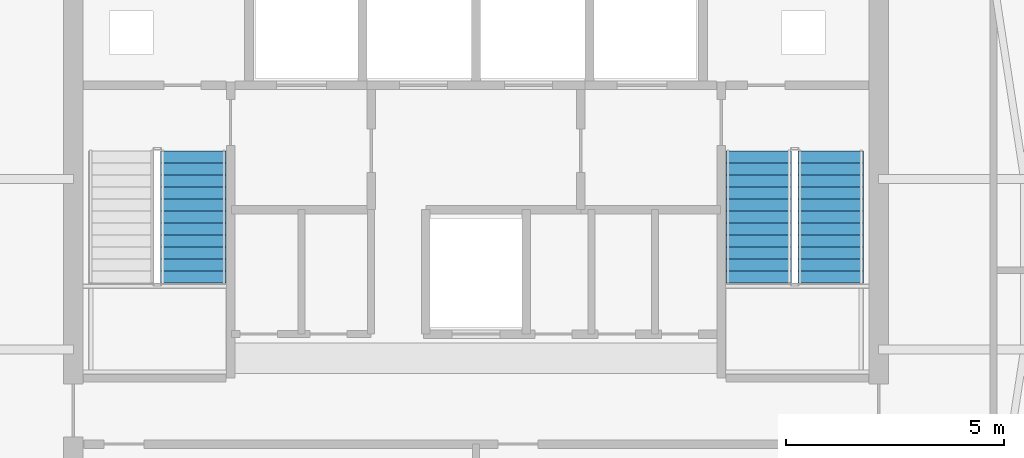
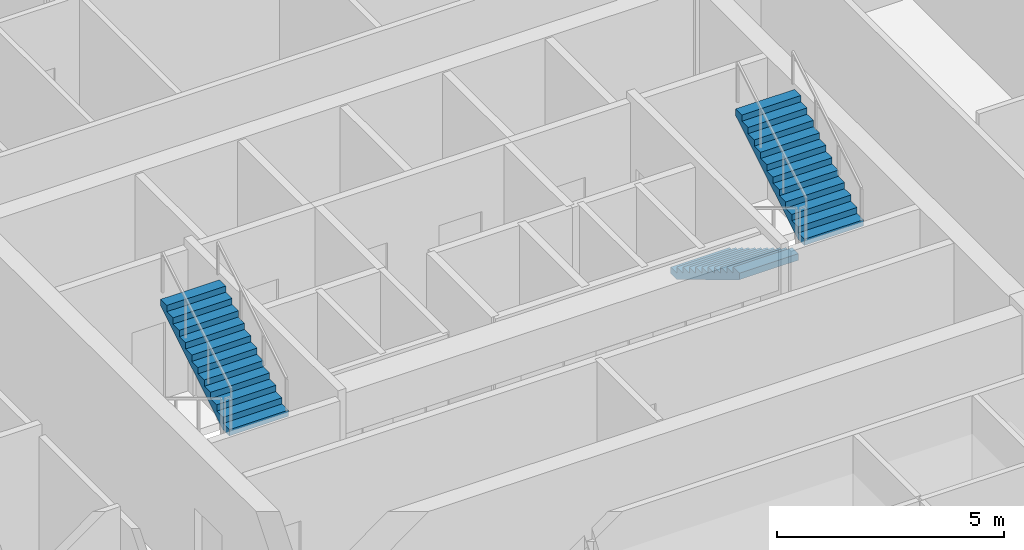
# One storey, part 8 of 11: 3 stair flights, 2 elements without a shape of their own.
"""IFC4 building model written with IfcOpenShell, lengths in metres."""

from ifc_helpers import new_model, si_unit, direction, frame, origin, place, context, subcontext, project, spatial, polyline, outline, extrude, material, type_object, element, aggregate, save


model = new_model("IFC4")

# Units and contexts
model_context = context("Model", 3, precision=1e-05, world=origin(), true_north=direction((0.0, 1.0)))
body_context = subcontext(model_context, "Body", "Model", "MODEL_VIEW")
ifc_project = project(units=[si_unit("LENGTHUNIT", "METRE"), si_unit("AREAUNIT", "SQUARE_METRE"), si_unit("VOLUMEUNIT", "CUBIC_METRE"), si_unit("PLANEANGLEUNIT", "RADIAN"), si_unit("MASSUNIT", "GRAM", prefix="KILO")], contexts=[model_context])

# Site, building, storey
site_placement = place(None, origin())
site = spatial("IfcSite", under=ifc_project, at=site_placement, CompositionType="ELEMENT")
building_placement = place(site_placement, origin())
building = spatial("IfcBuilding", under=site, at=building_placement, Name="Cinnabar Lancet Tower", CompositionType="ELEMENT")
storey_placement = place(building_placement, frame((0.0, 0.0, 283.5)))
storey = spatial("IfcBuildingStorey", under=building, at=storey_placement, Name="L75", CompositionType="ELEMENT", Elevation=283.5)

# Stair, stair flight
ifc_material_1 = material(Name="Concrete C40/50", Category="concrete")
stair_type = type_object("IfcStairType", Name="ST-CORE", PredefinedType="HALF_TURN_STAIR", material=ifc_material_1)
stair_1_placement = place(storey_placement, origin())
stair_1 = element("IfcStair", 1, at=stair_1_placement, inside=storey, type_object=stair_type, Name="L75 ST-1", PredefinedType="HALF_TURN_STAIR")
ifc_material_2 = material(Name="Concrete C40/50", Category="concrete")
stair_flight_type = type_object("IfcStairFlightType", Name="FLIGHT-CORE", PredefinedType="STRAIGHT", material=ifc_material_2)
stair_flight_1_placement = place(storey_placement, frame((25.925048828125, 25.375, 2.0), z_axis=(0.0, 0.0, 1.0), x_axis=(0.0, 1.0, 0.0)))
stair_flight_1 = element("IfcStairFlight", 2, at=stair_flight_1_placement, type_object=stair_flight_type, Name="ST-1 flight 2", NumberOfRisers=12, NumberOfTreads=11, PredefinedType="STRAIGHT", RiserHeight=0.166666667, TreadLength=0.275, context=body_context, shape_type="SweptSolid", body=[
    extrude(outline(polyline([(0.0, 0.0), (0.0, 0.166748046875), (0.27490234375, 0.166748046875), (0.27490234375, 0.333251953125), (0.550048828125, 0.333251953125), (0.550048828125, 0.5), (0.824951171875, 0.5), (0.824951171875, 0.666748046875), (1.10009765625, 0.666748046875), (1.10009765625, 0.833251953125), (1.375, 0.833251953125), (1.375, 1.0), (1.64990234375, 1.0), (1.64990234375, 1.166748046875), (1.925048828125, 1.166748046875), (1.925048828125, 1.333251953125), (2.199951171875, 1.333251953125), (2.199951171875, 1.5), (2.47509765625, 1.5), (2.47509765625, 1.666748046875), (2.75, 1.666748046875), (2.75, 1.833251953125), (3.02490234375, 1.833251953125), (3.02490234375, 2.0), (3.02490234375, 1.657958984375), (0.289306640625, 0.0), (0.0, 0.0)])), frame((0.0, 0.75, 0.0), z_axis=(0.0, -1.0, 0.0), x_axis=(1.0, 0.0, 0.0)), (0.0, 0.0, 1.0), 1.5),
])
aggregate(stair_1, [stair_flight_1])

# Stair, stair flights
stair_2_placement = place(storey_placement, origin())
stair_2 = element("IfcStair", 3, at=stair_2_placement, inside=storey, type_object=stair_type, Name="L75 ST-2", PredefinedType="HALF_TURN_STAIR")
stair_flight_2_placement = place(storey_placement, frame((38.875, 28.39990234375, 0.0), z_axis=(0.0, 0.0, 1.0), x_axis=(0.0, -1.0, 0.0)))
stair_flight_2 = element("IfcStairFlight", 4, at=stair_flight_2_placement, type_object=stair_flight_type, Name="ST-2 flight 1", NumberOfRisers=12, NumberOfTreads=11, PredefinedType="STRAIGHT", RiserHeight=0.166666667, TreadLength=0.275, context=body_context, shape_type="SweptSolid", body=[
    extrude(outline(polyline([(0.0, 0.0), (0.0, 0.166748046875), (0.27490234375, 0.166748046875), (0.27490234375, 0.333251953125), (0.550048828125, 0.333251953125), (0.550048828125, 0.5), (0.824951171875, 0.5), (0.824951171875, 0.666748046875), (1.10009765625, 0.666748046875), (1.10009765625, 0.833251953125), (1.375, 0.833251953125), (1.375, 1.0), (1.64990234375, 1.0), (1.64990234375, 1.166748046875), (1.925048828125, 1.166748046875), (1.925048828125, 1.333251953125), (2.199951171875, 1.333251953125), (2.199951171875, 1.5), (2.47509765625, 1.5), (2.47509765625, 1.666748046875), (2.75, 1.666748046875), (2.75, 1.833251953125), (3.02490234375, 1.833251953125), (3.02490234375, 2.0), (3.02490234375, 1.657958984375), (0.289306640625, 0.0), (0.0, 0.0)])), frame((0.0, 0.75, 0.0), z_axis=(0.0, -1.0, 0.0), x_axis=(1.0, 0.0, 0.0)), (0.0, 0.0, 1.0), 1.5),
])
stair_flight_3_placement = place(storey_placement, frame((40.52490234375, 25.375, 2.0), z_axis=(0.0, 0.0, 1.0), x_axis=(0.0, 1.0, 0.0)))
stair_flight_3 = element("IfcStairFlight", 5, at=stair_flight_3_placement, type_object=stair_flight_type, Name="ST-2 flight 2", NumberOfRisers=12, NumberOfTreads=11, PredefinedType="STRAIGHT", RiserHeight=0.166666667, TreadLength=0.275, context=body_context, shape_type="SweptSolid", body=[
    extrude(outline(polyline([(0.0, 0.0), (0.0, 0.166748046875), (0.27490234375, 0.166748046875), (0.27490234375, 0.333251953125), (0.550048828125, 0.333251953125), (0.550048828125, 0.5), (0.824951171875, 0.5), (0.824951171875, 0.666748046875), (1.10009765625, 0.666748046875), (1.10009765625, 0.833251953125), (1.375, 0.833251953125), (1.375, 1.0), (1.64990234375, 1.0), (1.64990234375, 1.166748046875), (1.925048828125, 1.166748046875), (1.925048828125, 1.333251953125), (2.199951171875, 1.333251953125), (2.199951171875, 1.5), (2.47509765625, 1.5), (2.47509765625, 1.666748046875), (2.75, 1.666748046875), (2.75, 1.833251953125), (3.02490234375, 1.833251953125), (3.02490234375, 2.0), (3.02490234375, 1.657958984375), (0.289306640625, 0.0), (0.0, 0.0)])), frame((0.0, 0.75, 0.0), z_axis=(0.0, -1.0, 0.0), x_axis=(1.0, 0.0, 0.0)), (0.0, 0.0, 1.0), 1.5),
])
aggregate(stair_2, [stair_flight_2, stair_flight_3])

save(model, "model.ifc")
